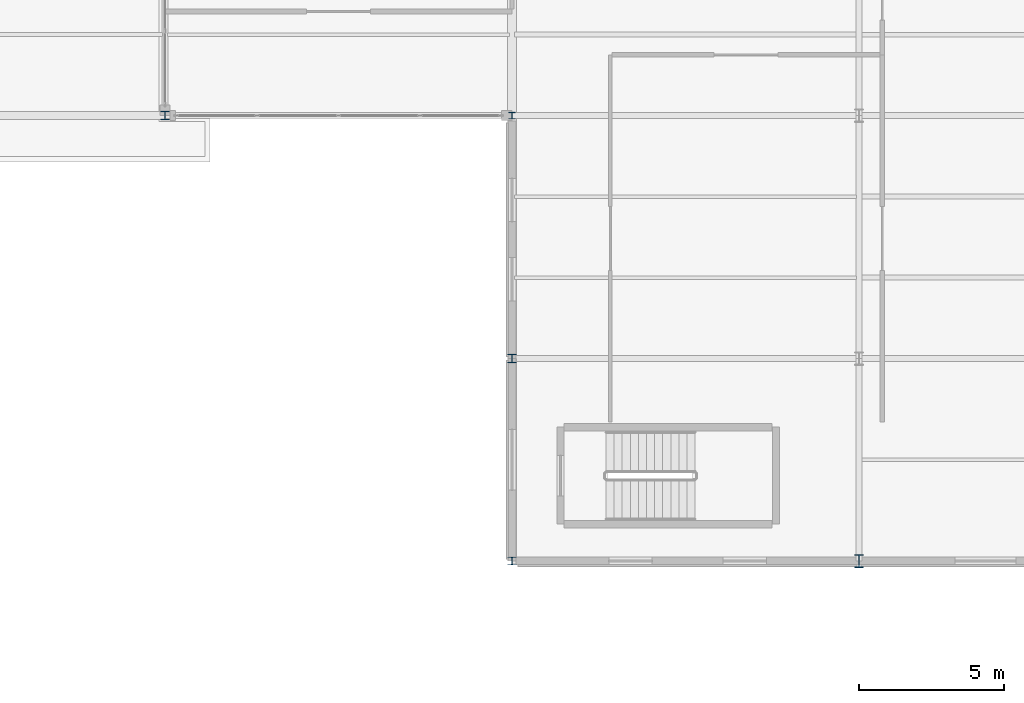
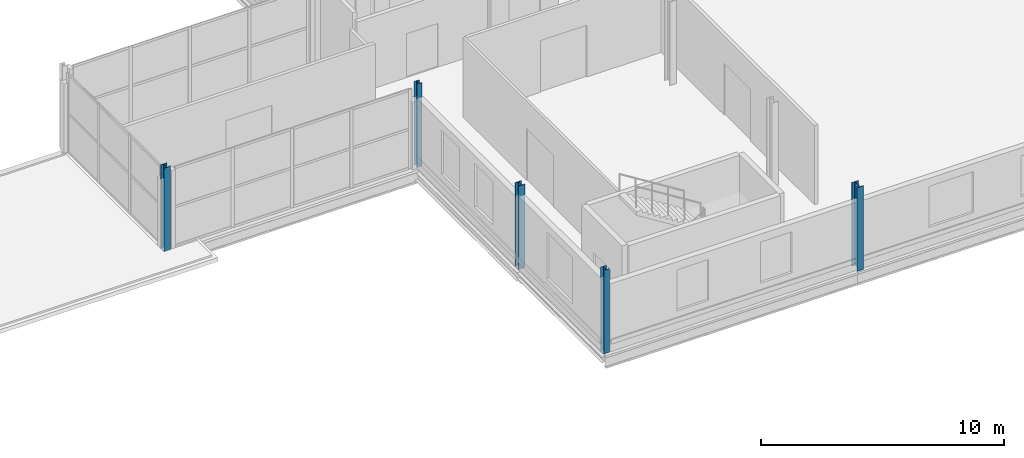
# One storey, part 9 of 93: 5 columns.
"""IFC4 building model written with IfcOpenShell, lengths in metres."""

import ifcopenshell
import ifcopenshell.guid

model = None  # the IFC model being written
_history = None  # IfcOwnerHistory: only IFC2X3 demands one
_inside = {}  # id of a spatial element -> (the spatial element, [elements in it])
_under = {}  # id of a project, library or spatial element -> (it, [spatial elements below it])
_declared = {}  # id of a project -> (the project, [libraries it declares])
_typed = {}  # id of a type object -> (the type object, [elements of that type])
_made_of = {}  # id of a material, layer set ... -> (it, [elements and type objects made of it])


def new_model(schema):
    """Start an empty IFC model of exactly this schema.

    Asked for "IFC4X3", IfcOpenShell would pick the latest addendum, in which some entities
    have other attributes; the version numbers below select the first issue.
    IFC2X3 requires an IfcOwnerHistory on every rooted entity: one is made here for all.
    """
    global model, _history
    if schema == "IFC4X3":
        model = ifcopenshell.file(schema_version=(4, 3, 0, 0))
    else:
        model = ifcopenshell.file(schema=schema)
    _inside.clear()
    _under.clear()
    _declared.clear()
    _typed.clear()
    _made_of.clear()
    _history = None
    if model.schema == "IFC2X3":
        org = make("IfcOrganization", Name="unknown")
        user = make(
            "IfcPersonAndOrganization",
            ThePerson=make("IfcPerson", FamilyName="unknown"),
            TheOrganization=org,
        )
        app = make(
            "IfcApplication",
            ApplicationDeveloper=org,
            Version="unknown",
            ApplicationFullName="unknown",
            ApplicationIdentifier="unknown",
        )
        _history = make(
            "IfcOwnerHistory",
            OwningUser=user,
            OwningApplication=app,
            ChangeAction="ADDED",
            CreationDate=0,
        )
    return model


def make(cls, **values):
    """One entity of the class cls with the attributes given. An attribute that is None is left unset."""
    return model.create_entity(
        cls, **{name: value for name, value in values.items() if value is not None}
    )


def rooted(cls, **values):
    """An entity with a GlobalId (a new one), such as an element, a storey or a relation."""
    return make(cls, GlobalId=ifcopenshell.guid.new(), OwnerHistory=_history, **values)


def si_unit(unit_type, name, prefix=None):
    """IfcSIUnit, for example si_unit("LENGTHUNIT", "METRE", prefix="MILLI")."""
    return make("IfcSIUnit", UnitType=unit_type, Prefix=prefix, Name=name)


def assignment(units):
    """IfcUnitAssignment: the units of a project."""
    return None if units is None else make("IfcUnitAssignment", Units=units)


def point(xyz):
    """IfcCartesianPoint."""
    return None if xyz is None else make("IfcCartesianPoint", Coordinates=xyz)


def direction(xyz):
    """IfcDirection."""
    return None if xyz is None else make("IfcDirection", DirectionRatios=xyz)


def frame(location, z_axis=None, x_axis=None):
    """IfcAxis2Placement3D, a coordinate frame: its origin and axes. An axis left out is left unset."""
    return make(
        "IfcAxis2Placement3D",
        Location=point(location),
        Axis=direction(z_axis),
        RefDirection=direction(x_axis),
    )


def frame_2d(location, x_axis=None):
    """IfcAxis2Placement2D, a coordinate frame in the plane: its origin and x axis."""
    return make(
        "IfcAxis2Placement2D", Location=point(location), RefDirection=direction(x_axis)
    )


def origin():
    """The frame at (0, 0, 0) with its axes left unset."""
    return frame((0.0, 0.0, 0.0))


def origin_2d():
    """The frame at (0, 0) in the plane with its x axis left unset."""
    return frame_2d((0.0, 0.0))


def place(relative_to, where):
    """IfcLocalPlacement: puts the frame where relative to a parent placement (None: the world)."""
    return make(
        "IfcLocalPlacement", PlacementRelTo=relative_to, RelativePlacement=where
    )


def context(
    kind, dimensions, precision=None, world=None, true_north=None, identifier=None
):
    """IfcGeometricRepresentationContext, for example the 3D "Model" context."""
    return make(
        "IfcGeometricRepresentationContext",
        ContextIdentifier=identifier,
        ContextType=kind,
        CoordinateSpaceDimension=dimensions,
        Precision=precision,
        WorldCoordinateSystem=world,
        TrueNorth=true_north,
    )


def subcontext(parent, identifier, kind, view, scale=None):
    """IfcGeometricRepresentationSubContext, for example "Body" below "Model"."""
    return make(
        "IfcGeometricRepresentationSubContext",
        ContextIdentifier=identifier,
        ContextType=kind,
        ParentContext=parent,
        TargetScale=scale,
        TargetView=view,
    )


def project(units=None, contexts=None):
    """IfcProject with its units and contexts."""
    return rooted(
        "IfcProject",
        Name="project",
        RepresentationContexts=contexts,
        UnitsInContext=assignment(units),
    )


def spatial(cls, under=None, at=None, **own):
    """A site, building, storey or space (cls), placed at a placement, below another one or the project."""
    s = rooted(cls, ObjectPlacement=at, **own)
    if under is not None:
        _under.setdefault(under.id(), (under, []))[1].append(s)
    return s


def profile(cls, at=None, kind="AREA", **sizes):
    """A parametric profile (cls). Its sizes go by their IFC names, for example OverallWidth=200.0."""
    return make(cls, ProfileType=kind, Position=at, **sizes)


def i_section(**sizes):
    """IfcIShapeProfileDef."""
    return profile("IfcIShapeProfileDef", **sizes)


def extrude(swept, where, along, depth):
    """IfcExtrudedAreaSolid: the profile swept, set in the frame where, extruded along a direction by depth."""
    return make(
        "IfcExtrudedAreaSolid",
        SweptArea=swept,
        Position=where,
        ExtrudedDirection=direction(along),
        Depth=depth,
    )


def shape(context_of_items, identifier, shape_type, items):
    """IfcShapeRepresentation: the items that make up one representation, for example the "Body"."""
    return make(
        "IfcShapeRepresentation",
        ContextOfItems=context_of_items,
        RepresentationIdentifier=identifier,
        RepresentationType=shape_type,
        Items=items,
    )


def material(Name=None, Category=None):
    """IfcMaterial."""
    return make("IfcMaterial", Name=Name, Category=Category)


def material_profile(
    of_material, cross_section, Name=None, Category=None, Priority=None
):
    """IfcMaterialProfile: a cross section and its material."""
    return make(
        "IfcMaterialProfile",
        Name=Name,
        Material=of_material,
        Profile=cross_section,
        Priority=Priority,
        Category=Category,
    )


def profile_set(profiles, Name=None, composite=None):
    """IfcMaterialProfileSet."""
    return make(
        "IfcMaterialProfileSet",
        Name=Name,
        MaterialProfiles=profiles,
        CompositeProfile=composite,
    )


def made_of(thing, what):
    """Note that an element or type object is made of a material, layer set ...; save() writes the relation."""
    if what is not None:
        _made_of.setdefault(what.id(), (what, []))[1].append(thing)
    return thing


def type_object(cls, material=None, **own):
    """A type object (cls), such as IfcWallType, which elements share."""
    return made_of(rooted(cls, **own), material)


def element(
    cls,
    number,
    at=None,
    inside=None,
    cuts=None,
    type_object=None,
    material=None,
    context=None,
    identifier="Body",
    shape_type=None,
    held_by="IfcProductDefinitionShape",
    body=None,
    shapes=None,
    **own,
):
    """One element of the class cls, such as IfcWall. Its Tag is "e" and its number.

    at: its placement. inside: the storey or other place that contains it. cuts: it is an
    opening in that element (IfcRelVoidsElement). A single representation is given by context,
    identifier, shape_type and body (its items); several are given by shapes. held_by: the class
    of the entity that holds the representations. save() writes the other relations.
    """
    e = rooted(cls, Tag="e%d" % number, ObjectPlacement=at, **own)
    if body is not None:
        shapes = [shape(context, identifier, shape_type, body)]
    if shapes is not None:
        e.Representation = make(held_by, Representations=shapes)
    if inside is not None:
        _inside.setdefault(inside.id(), (inside, []))[1].append(e)
    if cuts is not None:
        rooted(
            "IfcRelVoidsElement", RelatingBuildingElement=cuts, RelatedOpeningElement=e
        )
    if type_object is not None:
        _typed.setdefault(type_object.id(), (type_object, []))[1].append(e)
    return made_of(e, material)


def aggregate(whole, parts):
    """IfcRelAggregates: a whole, such as a stair, and the parts it consists of."""
    return rooted("IfcRelAggregates", RelatingObject=whole, RelatedObjects=parts)


def save(model, path):
    """Write the relations noted so far, then the file.

    IfcRelAggregates (storeys below a building ...), IfcRelContainedInSpatialStructure (elements
    in a storey), IfcRelDefinesByType, IfcRelAssociatesMaterial and IfcRelDeclares: one each for
    every whole, place, type object, material and project.
    """
    for whole, parts in _under.values():
        aggregate(whole, parts)
    for where, things in _inside.values():
        rooted(
            "IfcRelContainedInSpatialStructure",
            RelatedElements=things,
            RelatingStructure=where,
        )
    for kind, things in _typed.values():
        rooted("IfcRelDefinesByType", RelatedObjects=things, RelatingType=kind)
    for what, things in _made_of.values():
        rooted("IfcRelAssociatesMaterial", RelatedObjects=things, RelatingMaterial=what)
    for by, libraries in _declared.values():
        rooted("IfcRelDeclares", RelatingContext=by, RelatedDefinitions=libraries)
    model.write(path)


model = new_model("IFC4")

# Units and contexts
model_context = context("Model", 3, precision=1e-05, world=origin(), true_north=direction((0.0, 1.0)))
body_context = subcontext(model_context, "Body", "Model", "MODEL_VIEW")
ifc_project = project(units=[si_unit("LENGTHUNIT", "METRE"), si_unit("AREAUNIT", "SQUARE_METRE"), si_unit("VOLUMEUNIT", "CUBIC_METRE"), si_unit("PLANEANGLEUNIT", "RADIAN"), si_unit("MASSUNIT", "GRAM", prefix="KILO")], contexts=[model_context])

# Site, building, storey
site_placement = place(None, origin())
site = spatial("IfcSite", under=ifc_project, at=site_placement, CompositionType="ELEMENT")
building_placement = place(site_placement, origin())
building = spatial("IfcBuilding", under=site, at=building_placement, Name="Vekula Escarpment Museum", CompositionType="ELEMENT")
storey_placement = place(building_placement, frame((0.0, 0.0, 22.199951171875)))
storey = spatial("IfcBuildingStorey", under=building, at=storey_placement, Name="L05", CompositionType="ELEMENT", Elevation=22.199951171875)

# Columns
ifc_material_1 = material(Name="Steel S355", Category="steel")
ifc_material_profile_1 = material_profile(ifc_material_1, i_section(OverallWidth=0.239990234375, OverallDepth=0.22998046875, WebThickness=0.007568359375, FlangeThickness=0.011962890625, FilletRadius=0.02099609375, at=origin_2d()), Name="HEA 240")
ifc_profile_set_1 = profile_set([ifc_material_profile_1], Name="Steel S355")
column_type_1 = type_object("IfcColumnType", Name="COL-S-HEA240", PredefinedType="COLUMN", material=ifc_profile_set_1)
column_1_placement = place(storey_placement, frame((167.0, 68.0, 0.0), z_axis=(0.0, 0.0, 1.0), x_axis=(1.0, 0.0, 0.0)))
element("IfcColumn", 1, at=column_1_placement, inside=storey, type_object=column_type_1, Name="Column L05 (167.0,68.0)", PredefinedType="COLUMN", context=body_context, shape_type="SweptSolid", body=[
    extrude(i_section(OverallWidth=0.239990234375, OverallDepth=0.22998046875, WebThickness=0.007568359375, FlangeThickness=0.011962890625, FilletRadius=0.02099609375, at=origin_2d()), origin(), (0.0, 0.0, 1.0), 4.199951171875),
])
ifc_material_2 = material(Name="Steel S355", Category="steel")
ifc_material_profile_2 = material_profile(ifc_material_2, i_section(OverallWidth=0.280029296875, OverallDepth=0.27001953125, WebThickness=0.008056640625, FlangeThickness=0.012939453125, FilletRadius=0.02392578125, at=origin_2d()), Name="HEA 280")
ifc_profile_set_2 = profile_set([ifc_material_profile_2], Name="Steel S355")
column_type_2 = type_object("IfcColumnType", Name="COL-S-HEA280", PredefinedType="COLUMN", material=ifc_profile_set_2)
column_2_placement = place(storey_placement, frame((167.0, 52.60009765625, 0.0), z_axis=(0.0, 0.0, 1.0), x_axis=(1.0, 0.0, 0.0)))
element("IfcColumn", 2, at=column_2_placement, inside=storey, type_object=column_type_2, Name="Column L05 (167.0,52.6)", PredefinedType="COLUMN", context=body_context, shape_type="SweptSolid", body=[
    extrude(i_section(OverallWidth=0.280029296875, OverallDepth=0.27001953125, WebThickness=0.008056640625, FlangeThickness=0.012939453125, FilletRadius=0.02392578125, at=origin_2d()), origin(), (0.0, 0.0, 1.0), 4.199951171875),
])
ifc_material_3 = material(Name="Steel S355", Category="steel")
ifc_material_profile_3 = material_profile(ifc_material_3, i_section(OverallWidth=0.300048828125, OverallDepth=0.300048828125, WebThickness=0.010986328125, FlangeThickness=0.01904296875, FilletRadius=0.027099609375, at=origin_2d()), Name="HEB 300")
ifc_profile_set_3 = profile_set([ifc_material_profile_3], Name="Steel S355")
column_type_3 = type_object("IfcColumnType", Name="COL-S-HEB300", PredefinedType="COLUMN", material=ifc_profile_set_3)
for number, where, z_axis, x_axis, name in (
    (3, (155.0, 68.0, 0.0), (0.0, 0.0, 1.0), (1.0, 0.0, 0.0), "Column L05 (155.0,68.0)"),
    (4, (167.0, 59.60009765625, 0.0), (0.0, 0.0, 1.0), (1.0, 0.0, 0.0), "Column L05 (167.0,59.6)"),
):
    element("IfcColumn", number, at=place(storey_placement, frame(where, z_axis=z_axis, x_axis=x_axis)), inside=storey, type_object=column_type_3, Name=name, PredefinedType="COLUMN", context=body_context, shape_type="SweptSolid", body=[
        extrude(i_section(OverallWidth=0.300048828125, OverallDepth=0.300048828125, WebThickness=0.010986328125, FlangeThickness=0.01904296875, FilletRadius=0.027099609375, at=origin_2d()), origin(), (0.0, 0.0, 1.0), 4.199951171875),
    ])
ifc_material_4 = material(Name="Steel S355", Category="steel")
ifc_material_profile_4 = material_profile(ifc_material_4, i_section(OverallWidth=0.300048828125, OverallDepth=0.449951171875, WebThickness=0.013916015625, FlangeThickness=0.02587890625, FilletRadius=0.027099609375, at=origin_2d()), Name="HEB 450")
ifc_profile_set_4 = profile_set([ifc_material_profile_4], Name="Steel S355")
column_type_4 = type_object("IfcColumnType", Name="COL-S-HEB450", PredefinedType="COLUMN", material=ifc_profile_set_4)
column_3_placement = place(storey_placement, frame((179.0, 52.60009765625, 0.0), z_axis=(0.0, 0.0, 1.0), x_axis=(1.0, 0.0, 0.0)))
element("IfcColumn", 5, at=column_3_placement, inside=storey, type_object=column_type_4, Name="Column L05 (179.0,52.6)", PredefinedType="COLUMN", context=body_context, shape_type="SweptSolid", body=[
    extrude(i_section(OverallWidth=0.300048828125, OverallDepth=0.449951171875, WebThickness=0.013916015625, FlangeThickness=0.02587890625, FilletRadius=0.027099609375, at=origin_2d()), origin(), (0.0, 0.0, 1.0), 4.199951171875),
])

save(model, "model.ifc")
